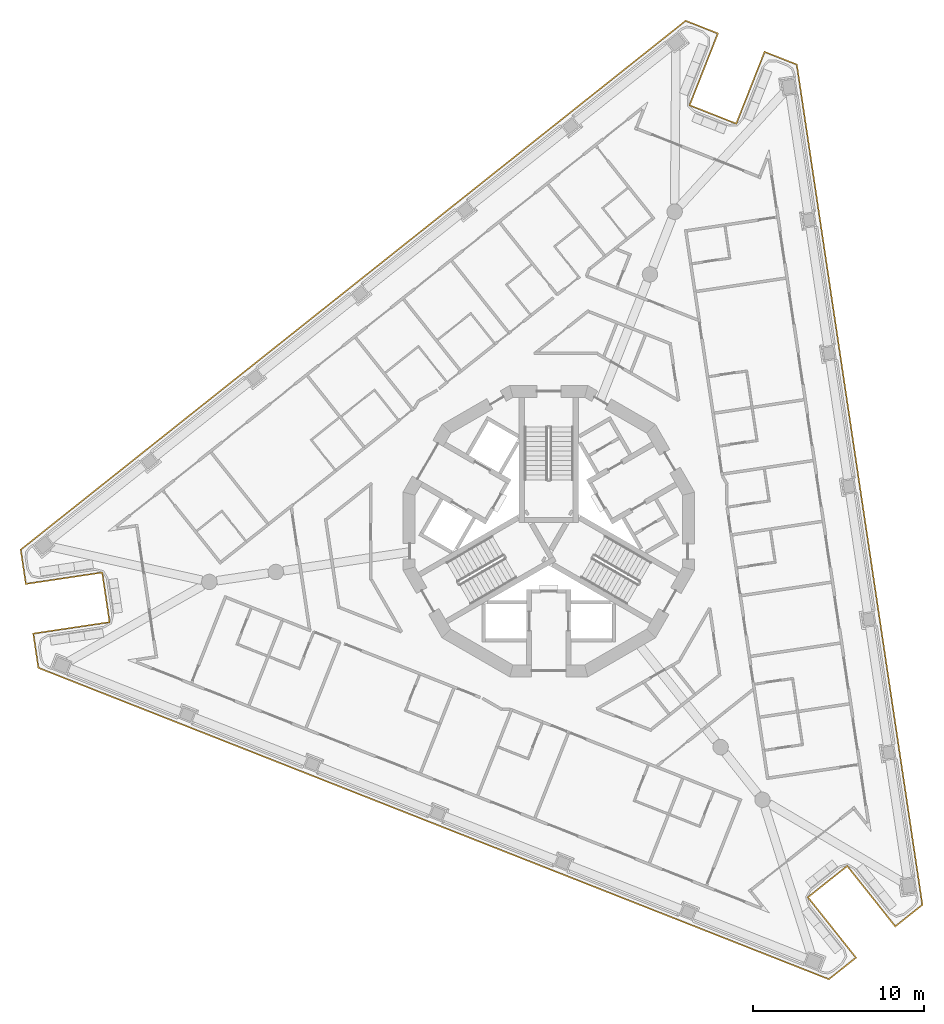
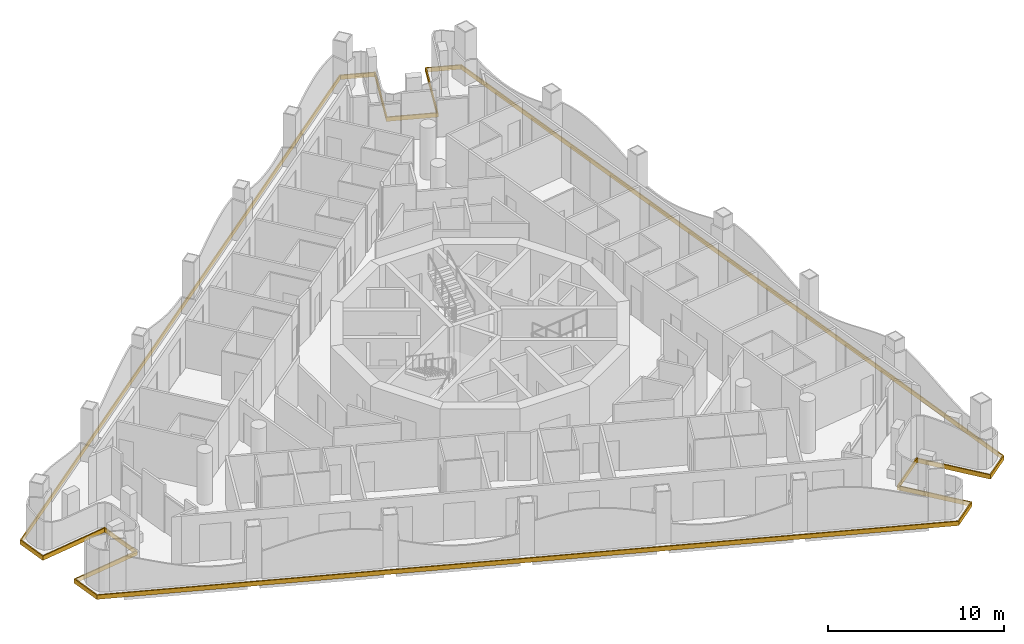
# One storey, part 13 of 17: 1 covering.
"""IFC4 building model written with IfcOpenShell, lengths in metres."""

from ifc_helpers import new_model, si_unit, direction, frame, origin, place, context, subcontext, project, spatial, polyline, outline, extrude, material, layer, layer_set, type_object, element, save


model = new_model("IFC4")

# Units and contexts
model_context = context("Model", 3, precision=1e-05, world=origin(), true_north=direction((0.0, 1.0)))
body_context = subcontext(model_context, "Body", "Model", "MODEL_VIEW")
ifc_project = project(units=[si_unit("LENGTHUNIT", "METRE"), si_unit("AREAUNIT", "SQUARE_METRE"), si_unit("VOLUMEUNIT", "CUBIC_METRE"), si_unit("PLANEANGLEUNIT", "RADIAN"), si_unit("MASSUNIT", "GRAM", prefix="KILO")], contexts=[model_context])

# Site, building, storey
site_placement = place(None, origin())
site = spatial("IfcSite", under=ifc_project, at=site_placement, CompositionType="ELEMENT")
building_placement = place(site_placement, origin())
building = spatial("IfcBuilding", under=site, at=building_placement, Name="Trine Commons Tower", CompositionType="ELEMENT")
storey_placement = place(building_placement, frame((0.0, 0.0, 212.39990234375)))
storey = spatial("IfcBuildingStorey", under=building, at=storey_placement, Name="L55", CompositionType="ELEMENT", Elevation=212.39990234375)

# Covering
ifc_material = material(Name="Limestone, honed", Category="masonry")
ifc_layer = layer(ifc_material, 0.074951171875)
ifc_layer_set = layer_set([ifc_layer], Name="Limestone, honed")
covering_type = type_object("IfcCoveringType", Name="Limestone spandrel panel 75", PredefinedType="CLADDING", material=ifc_layer_set)
covering_placement = place(storey_placement, frame((0.0, 0.0, -0.2998046875)))
element("IfcCovering", 1, at=covering_placement, inside=storey, type_object=covering_type, Name="Limestone spandrel panel 6-01", PredefinedType="CLADDING", context=body_context, shape_type="SweptSolid", body=[
    extrude(outline(polyline([(97.397705078125, 42.917236328125), (100.198974609375, 39.3955078125), (101.82861328125, 40.69189453125), (94.498779296875, 89.7373046875), (92.561279296875, 90.50048828125), (90.912109375, 86.313720703125), (88.26025390625, 87.358154296875), (89.90966796875, 91.545166015625), (87.97216796875, 92.308349609375), (49.162353515625, 61.4375), (49.47021484375, 59.378173828125), (53.9208984375, 60.043212890625), (54.342041015625, 57.224609375), (49.891357421875, 56.559326171875), (50.19921875, 54.5), (96.3388671875, 36.324951171875), (97.968505859375, 37.621337890625), (95.167236328125, 41.14306640625), (97.397705078125, 42.917236328125)]), holes=[polyline([(92.603515625, 90.4033203125), (94.430908203125, 89.683349609375), (101.748046875, 40.7236328125), (100.2109375, 39.5009765625), (97.40966796875, 43.022705078125), (95.061767578125, 41.155029296875), (97.86328125, 37.63330078125), (96.325927734375, 36.41064453125), (50.26708984375, 54.5537109375), (49.976806640625, 56.496337890625), (54.42724609375, 57.16162109375), (53.98388671875, 60.12841796875), (49.533203125, 59.46337890625), (49.242919921875, 61.406005859375), (87.98486328125, 92.22265625), (89.812255859375, 91.502685546875), (88.1630859375, 87.31591796875), (90.954345703125, 86.21630859375), (92.603515625, 90.4033203125)])]), origin(), (0.0, 0.0, 1.0), 0.2998046875),
])

save(model, "model.ifc")
